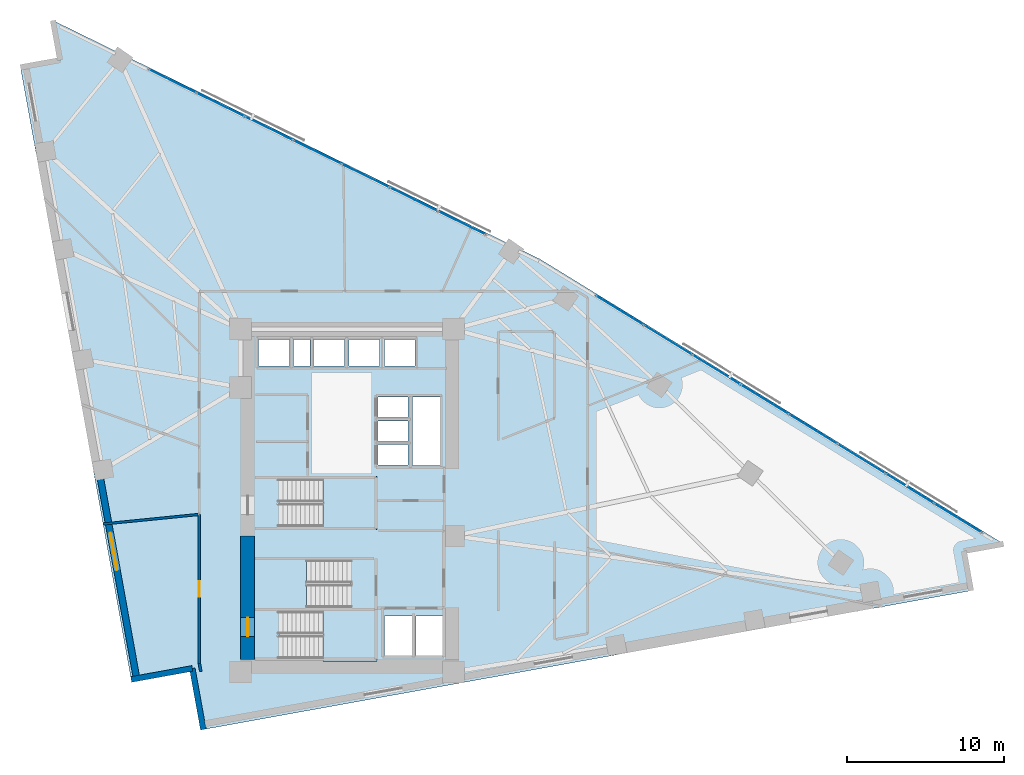
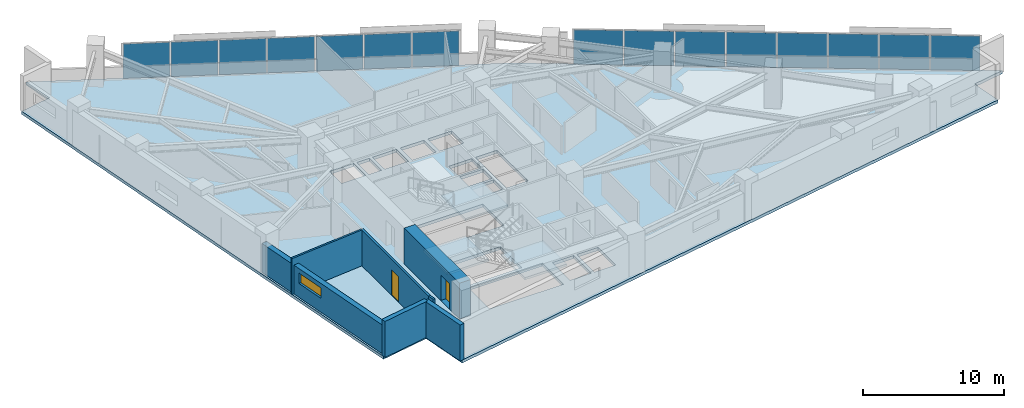
# One storey, part 12 of 20: 15 plates, 7 walls, 4 slabs, 2 doors, 1 window, 3 openings, 5 elements without a shape of their own.
"""IFC4 building model written with IfcOpenShell, lengths in metres."""

from ifc_helpers import new_model, si_unit, direction, frame, frame_2d, origin, origin_2d, place, context, subcontext, project, spatial, polyline, rectangle, outline, extrude, material, layer, layer_set, type_object, element, fill, aggregate, save


model = new_model("IFC4")

# Units and contexts
model_context = context("Model", 3, precision=1e-05, world=origin(), true_north=direction((0.0, 1.0)))
body_context = subcontext(model_context, "Body", "Model", "MODEL_VIEW")
ifc_project = project(units=[si_unit("LENGTHUNIT", "METRE"), si_unit("AREAUNIT", "SQUARE_METRE"), si_unit("VOLUMEUNIT", "CUBIC_METRE"), si_unit("PLANEANGLEUNIT", "RADIAN"), si_unit("MASSUNIT", "GRAM", prefix="KILO")], contexts=[model_context])

# Site, building, storey
site_placement = place(None, origin())
site = spatial("IfcSite", under=ifc_project, at=site_placement, CompositionType="ELEMENT")
building_placement = place(site_placement, origin())
building = spatial("IfcBuilding", under=site, at=building_placement, Name="Narakoshi Arena Tower", CompositionType="ELEMENT")
storey_placement = place(building_placement, frame((0.0, 0.0, 124.5)))
storey = spatial("IfcBuildingStorey", under=building, at=storey_placement, Name="L33", CompositionType="ELEMENT", Elevation=124.5)

# Curtain wall, plates
ifc_material_1 = material(Name="Anodised bronze aluminium 6063-T6", Category="aluminium")
curtain_wall_type = type_object("IfcCurtainWallType", Name="CW-HYP-LOW", PredefinedType="NOTDEFINED", material=ifc_material_1)
curtain_wall_1_placement = place(storey_placement, origin())
curtain_wall_1 = element("IfcCurtainWall", 1, at=curtain_wall_1_placement, inside=storey, type_object=curtain_wall_type, Name="L33 Folded Hypotenuse Curtain Wall 1-1", PredefinedType="NOTDEFINED")
ifc_material_2 = material(Name="Bronze-tinted low-E laminated glass", Category="glass")
ifc_layer_1 = layer(ifc_material_2, 0.031982421875)
ifc_layer_set_1 = layer_set([ifc_layer_1], Name="Bronze-tinted low-E laminated glass")
plate_type = type_object("IfcPlateType", Name="PLT-GLZ-32", PredefinedType="CURTAIN_PANEL", material=ifc_layer_set_1)
plate_1_placement = place(storey_placement, frame((117.64013671875, 44.483642578125, 0.06494140625), z_axis=(0.0, 0.0, 1.0), x_axis=(-0.852113104237, 0.523357676535, 0.0)))
plate_1 = element("IfcPlate", 2, at=plate_1_placement, type_object=plate_type, Name="CW-01 panel 1.1", PredefinedType="CURTAIN_PANEL", context=body_context, shape_type="SweptSolid", body=[
    extrude(rectangle(XDim=3.498291015625, YDim=0.031982421875, at=origin_2d()), origin(), (0.0, 0.0, 1.0), 2.969970703125),
])
plate_2_placement = place(storey_placement, frame((114.5791015625, 46.36376953125, 0.06494140625), z_axis=(0.0, 0.0, 1.0), x_axis=(-0.852113104237, 0.523357676535, 0.0)))
plate_2 = element("IfcPlate", 3, at=plate_2_placement, type_object=plate_type, Name="CW-01 panel 2.1", PredefinedType="CURTAIN_PANEL", context=body_context, shape_type="SweptSolid", body=[
    extrude(rectangle(XDim=3.535888671875, YDim=0.031982421875, at=origin_2d()), origin(), (0.0, 0.0, 1.0), 2.969970703125),
])
plate_3_placement = place(storey_placement, frame((111.502197265625, 48.25341796875, 0.06494140625), z_axis=(0.0, 0.0, 1.0), x_axis=(-0.852113104237, 0.523357676535, 0.0)))
plate_3 = element("IfcPlate", 4, at=plate_3_placement, type_object=plate_type, Name="CW-01 panel 3.1", PredefinedType="CURTAIN_PANEL", context=body_context, shape_type="SweptSolid", body=[
    extrude(rectangle(XDim=3.535888671875, YDim=0.031982421875, at=origin_2d()), origin(), (0.0, 0.0, 1.0), 2.969970703125),
])
plate_4_placement = place(storey_placement, frame((108.42529296875, 50.143310546875, 0.06494140625), z_axis=(0.0, 0.0, 1.0), x_axis=(-0.852113104237, 0.523357676535, 0.0)))
plate_4 = element("IfcPlate", 5, at=plate_4_placement, type_object=plate_type, Name="CW-01 panel 4.1", PredefinedType="CURTAIN_PANEL", context=body_context, shape_type="SweptSolid", body=[
    extrude(rectangle(XDim=3.535888671875, YDim=0.031982421875, at=origin_2d()), origin(), (0.0, 0.0, 1.0), 2.969970703125),
])
plate_5_placement = place(storey_placement, frame((105.348388671875, 52.032958984375, 0.06494140625), z_axis=(0.0, 0.0, 1.0), x_axis=(-0.852113104237, 0.523357676535, 0.0)))
plate_5 = element("IfcPlate", 6, at=plate_5_placement, type_object=plate_type, Name="CW-01 panel 5.1", PredefinedType="CURTAIN_PANEL", context=body_context, shape_type="SweptSolid", body=[
    extrude(rectangle(XDim=3.535888671875, YDim=0.031982421875, at=origin_2d()), origin(), (0.0, 0.0, 1.0), 2.969970703125),
])
plate_6_placement = place(storey_placement, frame((102.271728515625, 53.9228515625, 0.06494140625), z_axis=(0.0, 0.0, 1.0), x_axis=(-0.852113104237, 0.523357676535, 0.0)))
plate_6 = element("IfcPlate", 7, at=plate_6_placement, type_object=plate_type, Name="CW-01 panel 6.1", PredefinedType="CURTAIN_PANEL", context=body_context, shape_type="SweptSolid", body=[
    extrude(rectangle(XDim=3.535888671875, YDim=0.031982421875, at=origin_2d()), origin(), (0.0, 0.0, 1.0), 2.969970703125),
])
plate_7_placement = place(storey_placement, frame((99.19482421875, 55.8125, 0.06494140625), z_axis=(0.0, 0.0, 1.0), x_axis=(-0.852113104237, 0.523357676535, 0.0)))
plate_7 = element("IfcPlate", 8, at=plate_7_placement, type_object=plate_type, Name="CW-01 panel 7.1", PredefinedType="CURTAIN_PANEL", context=body_context, shape_type="SweptSolid", body=[
    extrude(rectangle(XDim=3.535888671875, YDim=0.031982421875, at=origin_2d()), origin(), (0.0, 0.0, 1.0), 2.969970703125),
])
plate_8_placement = place(storey_placement, frame((96.1337890625, 57.692626953125, 0.06494140625), z_axis=(0.0, 0.0, 1.0), x_axis=(-0.852113104237, 0.523357676535, 0.0)))
plate_8 = element("IfcPlate", 9, at=plate_8_placement, type_object=plate_type, Name="CW-01 panel 8.1", PredefinedType="CURTAIN_PANEL", context=body_context, shape_type="SweptSolid", body=[
    extrude(rectangle(XDim=3.498291015625, YDim=0.031982421875, at=origin_2d()), origin(), (0.0, 0.0, 1.0), 2.969970703125),
])
aggregate(curtain_wall_1, [plate_1, plate_2, plate_3, plate_4, plate_5, plate_6, plate_7, plate_8])

curtain_wall_2_placement = place(storey_placement, origin())
curtain_wall_2 = element("IfcCurtainWall", 10, at=curtain_wall_2_placement, inside=storey, type_object=curtain_wall_type, Name="L33 Folded Hypotenuse Curtain Wall 2-1", PredefinedType="NOTDEFINED")
plate_9_placement = place(storey_placement, frame((86.0791015625, 63.259765625, 0.06494140625), z_axis=(0.0, 0.0, 1.0), x_axis=(-0.89799556291, 0.440004510198, 0.0)))
plate_9 = element("IfcPlate", 11, at=plate_9_placement, type_object=plate_type, Name="CW-01 panel 1.1", PredefinedType="CURTAIN_PANEL", context=body_context, shape_type="SweptSolid", body=[
    extrude(rectangle(XDim=3.309814453125, YDim=0.031982421875, at=origin_2d()), origin(), (0.0, 0.0, 1.0), 2.969970703125),
])
plate_10_placement = place(storey_placement, frame((83.022705078125, 64.75732421875, 0.06494140625), z_axis=(0.0, 0.0, 1.0), x_axis=(-0.89799556291, 0.440004510198, 0.0)))
plate_10 = element("IfcPlate", 12, at=plate_10_placement, type_object=plate_type, Name="CW-01 panel 2.1", PredefinedType="CURTAIN_PANEL", context=body_context, shape_type="SweptSolid", body=[
    extrude(rectangle(XDim=3.347412109375, YDim=0.031982421875, at=origin_2d()), origin(), (0.0, 0.0, 1.0), 2.969970703125),
])
plate_11_placement = place(storey_placement, frame((79.949462890625, 66.26318359375, 0.06494140625), z_axis=(0.0, 0.0, 1.0), x_axis=(-0.89799556291, 0.440004510198, 0.0)))
plate_11 = element("IfcPlate", 13, at=plate_11_placement, type_object=plate_type, Name="CW-01 panel 3.1", PredefinedType="CURTAIN_PANEL", context=body_context, shape_type="SweptSolid", body=[
    extrude(rectangle(XDim=3.347412109375, YDim=0.031982421875, at=origin_2d()), origin(), (0.0, 0.0, 1.0), 2.969970703125),
])
plate_12_placement = place(storey_placement, frame((76.8759765625, 67.76904296875, 0.06494140625), z_axis=(0.0, 0.0, 1.0), x_axis=(-0.89799556291, 0.440004510198, 0.0)))
plate_12 = element("IfcPlate", 14, at=plate_12_placement, type_object=plate_type, Name="CW-01 panel 4.1", PredefinedType="CURTAIN_PANEL", context=body_context, shape_type="SweptSolid", body=[
    extrude(rectangle(XDim=3.347412109375, YDim=0.031982421875, at=origin_2d()), origin(), (0.0, 0.0, 1.0), 2.969970703125),
])
plate_13_placement = place(storey_placement, frame((73.802734375, 69.27490234375, 0.06494140625), z_axis=(0.0, 0.0, 1.0), x_axis=(-0.89799556291, 0.440004510198, 0.0)))
plate_13 = element("IfcPlate", 15, at=plate_13_placement, type_object=plate_type, Name="CW-01 panel 5.1", PredefinedType="CURTAIN_PANEL", context=body_context, shape_type="SweptSolid", body=[
    extrude(rectangle(XDim=3.347412109375, YDim=0.031982421875, at=origin_2d()), origin(), (0.0, 0.0, 1.0), 2.969970703125),
])
plate_14_placement = place(storey_placement, frame((70.7294921875, 70.781005859375, 0.06494140625), z_axis=(0.0, 0.0, 1.0), x_axis=(-0.89799556291, 0.440004510198, 0.0)))
plate_14 = element("IfcPlate", 16, at=plate_14_placement, type_object=plate_type, Name="CW-01 panel 6.1", PredefinedType="CURTAIN_PANEL", context=body_context, shape_type="SweptSolid", body=[
    extrude(rectangle(XDim=3.347412109375, YDim=0.031982421875, at=origin_2d()), origin(), (0.0, 0.0, 1.0), 2.969970703125),
])
plate_15_placement = place(storey_placement, frame((67.673095703125, 72.278564453125, 0.06494140625), z_axis=(0.0, 0.0, 1.0), x_axis=(-0.89799556291, 0.440004510198, 0.0)))
plate_15 = element("IfcPlate", 17, at=plate_15_placement, type_object=plate_type, Name="CW-01 panel 7.1", PredefinedType="CURTAIN_PANEL", context=body_context, shape_type="SweptSolid", body=[
    extrude(rectangle(XDim=3.309814453125, YDim=0.031982421875, at=origin_2d()), origin(), (0.0, 0.0, 1.0), 2.969970703125),
])
aggregate(curtain_wall_2, [plate_9, plate_10, plate_11, plate_12, plate_13, plate_14, plate_15])

# Stair, slab
ifc_material_3 = material(Name="Concrete C45/55", Category="concrete")
stair_type = type_object("IfcStairType", Name="STR-CORE-360", PredefinedType="TWO_STRAIGHT_RUN_STAIR", material=ifc_material_3)
stair_1_placement = place(storey_placement, origin())
stair_1 = element("IfcStair", 18, at=stair_1_placement, inside=storey, type_object=stair_type, Name="L33 Core Escape Stair ST1", PredefinedType="TWO_STRAIGHT_RUN_STAIR")
ifc_layer_2 = layer(ifc_material_3, 0.18994140625)
ifc_layer_set_2 = layer_set([ifc_layer_2], Name="Concrete C45/55")
slab_type_1 = type_object("IfcSlabType", Name="SLB-LND-190", PredefinedType="LANDING", material=ifc_layer_set_2)
slab_1_placement = place(storey_placement, frame((0.0, 0.0, 1.610107421875)))
slab_1 = element("IfcSlab", 19, at=slab_1_placement, type_object=slab_type_1, Name="ST1 landing 1", PredefinedType="LANDING", context=body_context, shape_type="SweptSolid", body=[
    extrude(outline(polyline([(77.25, 35.3701171875), (80.679931640625, 35.3701171875), (80.679931640625, 38.72998046875), (77.25, 38.72998046875), (77.25, 35.3701171875)])), origin(), (0.0, 0.0, 1.0), 0.18994140625),
])
aggregate(stair_1, [slab_1])

stair_2_placement = place(storey_placement, origin())
stair_2 = element("IfcStair", 20, at=stair_2_placement, inside=storey, type_object=stair_type, Name="L33 Core Escape Stair ST2", PredefinedType="TWO_STRAIGHT_RUN_STAIR")
slab_2_placement = place(storey_placement, frame((0.0, 0.0, 1.610107421875)))
slab_2 = element("IfcSlab", 21, at=slab_2_placement, type_object=slab_type_1, Name="ST2 landing 1", PredefinedType="LANDING", context=body_context, shape_type="SweptSolid", body=[
    extrude(outline(polyline([(72.77001953125, 38.6201171875), (76.199951171875, 38.6201171875), (76.199951171875, 41.97998046875), (72.77001953125, 41.97998046875), (72.77001953125, 38.6201171875)])), origin(), (0.0, 0.0, 1.0), 0.18994140625),
])
aggregate(stair_2, [slab_2])

stair_3_placement = place(storey_placement, origin())
stair_3 = element("IfcStair", 22, at=stair_3_placement, inside=storey, type_object=stair_type, Name="L33 Core Escape Stair ST3", PredefinedType="TWO_STRAIGHT_RUN_STAIR")
slab_3_placement = place(storey_placement, frame((0.0, 0.0, 1.610107421875)))
slab_3 = element("IfcSlab", 23, at=slab_3_placement, type_object=slab_type_1, Name="ST3 landing 1", PredefinedType="LANDING", context=body_context, shape_type="SweptSolid", body=[
    extrude(outline(polyline([(77.25, 43.77001953125), (80.679931640625, 43.77001953125), (80.679931640625, 47.1298828125), (77.25, 47.1298828125), (77.25, 43.77001953125)])), origin(), (0.0, 0.0, 1.0), 0.18994140625),
])
aggregate(stair_3, [slab_3])

# Slab
ifc_material_4 = material(Name="Concrete C50/60", Category="concrete")
ifc_layer_3 = layer(ifc_material_4, 0.260009765625)
ifc_layer_set_3 = layer_set([ifc_layer_3], Name="Concrete C50/60")
slab_type_2 = type_object("IfcSlabType", Name="SLB-SKY-260", PredefinedType="FLOOR", material=ifc_layer_set_3)
slab_4_placement = place(storey_placement, frame((0.0, 0.0, -0.260009765625)))
element("IfcSlab", 24, at=slab_4_placement, inside=storey, type_object=slab_type_2, Name="L33 Structural Floor Slab", PredefinedType="FLOOR", context=body_context, shape_type="SweptSolid", body=[
    extrude(outline(polyline([(69.626953125, 31.03271484375), (118.466796875, 39.8642578125), (118.01025390625, 42.3896484375), (120.535400390625, 42.84619140625), (91.034912109375, 60.965087890625), (60.066162109375, 76.139404296875), (60.522705078125, 73.614013671875), (57.99755859375, 73.157470703125), (65.039306640625, 34.215087890625), (68.92431640625, 34.91748046875), (69.626953125, 31.03271484375)]), holes=[polyline([(80.5, 35.550048828125), (74.47998046875, 35.550048828125), (74.47998046875, 38.550048828125), (80.5, 38.550048828125), (80.5, 35.550048828125)]), polyline([(82.89990234375, 35.75), (81.14990234375, 35.75), (81.14990234375, 38.25), (82.89990234375, 38.25), (82.89990234375, 35.75)]), polyline([(83.14990234375, 35.75), (83.14990234375, 38.25), (84.89990234375, 38.25), (84.89990234375, 35.75), (83.14990234375, 35.75)]), polyline([(72.949951171875, 38.800048828125), (72.949951171875, 41.800048828125), (78.969970703125, 41.800048828125), (78.969970703125, 38.800048828125), (72.949951171875, 38.800048828125)]), polyline([(74.47998046875, 43.949951171875), (74.47998046875, 46.949951171875), (80.5, 46.949951171875), (80.5, 43.949951171875), (74.47998046875, 43.949951171875)]), polyline([(82.949951171875, 47.840087890625), (82.949951171875, 52.199951171875), (84.699951171875, 52.199951171875), (84.699951171875, 47.840087890625), (82.949951171875, 47.840087890625)]), polyline([(80.75, 47.85009765625), (80.75, 49.14990234375), (82.64990234375, 49.14990234375), (82.64990234375, 47.85009765625), (80.75, 47.85009765625)]), polyline([(80.75, 49.3701171875), (80.75, 50.669921875), (82.64990234375, 50.669921875), (82.64990234375, 49.3701171875), (80.75, 49.3701171875)]), polyline([(80.75, 50.889892578125), (80.75, 52.18994140625), (82.64990234375, 52.18994140625), (82.64990234375, 50.889892578125), (80.75, 50.889892578125)]), polyline([(73.14990234375, 54.14990234375), (73.14990234375, 55.85009765625), (75.10009765625, 55.85009765625), (75.10009765625, 54.14990234375), (73.14990234375, 54.14990234375)]), polyline([(75.35009765625, 54.14990234375), (75.35009765625, 55.85009765625), (76.39990234375, 55.85009765625), (76.39990234375, 54.14990234375), (75.35009765625, 54.14990234375)]), polyline([(76.64990234375, 54.14990234375), (76.64990234375, 55.85009765625), (78.60009765625, 55.85009765625), (78.60009765625, 54.14990234375), (76.64990234375, 54.14990234375)]), polyline([(78.89990234375, 54.14990234375), (78.89990234375, 55.85009765625), (80.85009765625, 55.85009765625), (80.85009765625, 54.14990234375), (78.89990234375, 54.14990234375)]), polyline([(81.14990234375, 54.14990234375), (81.14990234375, 55.85009765625), (83.10009765625, 55.85009765625), (83.10009765625, 54.14990234375), (81.14990234375, 54.14990234375)])]), origin(), (0.0, 0.0, 1.0), 0.260009765625),
])

# Wall, opening, door
ifc_material_5 = material(Name="Concrete C60/75", Category="concrete")
ifc_layer_4 = layer(ifc_material_5, 0.89990234375)
ifc_layer_set_4 = layer_set([ifc_layer_4], Name="Concrete C60/75")
wall_type_1 = type_object("IfcWallType", Name="WL-CORE-900", PredefinedType="SHEAR", material=ifc_layer_set_4)
wall_1_placement = place(storey_placement, frame((72.449951171875, 35.5, -0.260009765625), z_axis=(0.0, 0.0, 1.0), x_axis=(0.0, 1.0, 0.0)))
wall_1 = element("IfcWall", 25, at=wall_1_placement, inside=storey, type_object=wall_type_1, Name="L33 Central Core Shear Wall CW-APX-W", PredefinedType="SHEAR", context=body_context, shape_type="SweptSolid", body=[
    extrude(rectangle(XDim=7.85009765625, YDim=0.89990234375, at=frame_2d((3.925048828125, 0.0))), origin(), (0.0, 0.0, 1.0), 3.360107421875),
])
opening_1_placement = place(wall_1_placement, frame((1.449951171875, 0.0, 0.260009765625)))
opening_1 = element("IfcOpeningElement", 26, at=opening_1_placement, cuts=wall_1, Name="Opening D-03", PredefinedType="OPENING", context=body_context, shape_type="SweptSolid", body=[
    extrude(rectangle(XDim=1.199951171875, YDim=2.199951171875, at=frame_2d((0.60009765625, 1.10009765625))), frame((0.0, 0.4599609375, 0.0), z_axis=(0.0, -1.0, 0.0), x_axis=(1.0, 0.0, 0.0)), (0.0, 0.0, 1.0), 0.919921875),
])
ifc_material_6 = material(Name="Painted galvanized steel", Category="steel")
door_type_1 = type_object("IfcDoorType", Name="DR-STR-1200", OperationType="NOTDEFINED", PredefinedType="USERDEFINED", material=ifc_material_6)
door_1_placement = place(opening_1_placement, frame((1.199951171875, 0.0, 0.0), z_axis=(0.0, 0.0, 1.0), x_axis=(-1.0, 0.0, 0.0)))
door_1 = element("IfcDoor", 27, at=door_1_placement, inside=storey, type_object=door_type_1, Name="DR-L33-001", ObjectType="EXITDOOR", OperationType="SINGLE_SWING_LEFT", OverallHeight=2.199951171875, OverallWidth=1.199951171875, PredefinedType="USERDEFINED", context=body_context, shape_type="SweptSolid", body=[
    extrude(rectangle(XDim=1.199951171875, YDim=2.199951171875, at=frame_2d((0.60009765625, 1.10009765625))), frame((0.0, 0.02490234375, 0.0), z_axis=(0.0, -1.0, 0.0), x_axis=(1.0, 0.0, 0.0)), (0.0, 0.0, 1.0), 0.050048828125),
])
fill(opening_1, door_1)

ifc_material_7 = material(Name="Gypsum plasterboard fire-rated partition")
ifc_layer_5 = layer(ifc_material_7, 0.1650390625)
ifc_layer_set_5 = layer_set([ifc_layer_5], Name="Gypsum plasterboard fire-rated partition")
wall_type_2 = type_object("IfcWallType", Name="WL-CORR-165", PredefinedType="PARTITIONING", material=ifc_layer_set_5)
wall_2_placement = place(storey_placement, frame((69.376220703125, 44.716064453125, 0.0), z_axis=(0.0, 0.0, 1.0), x_axis=(0.0, -1.0, 0.0)))
wall_2 = element("IfcWall", 28, at=wall_2_placement, inside=storey, type_object=wall_type_2, Name="L33 Corridor Partition 01-1", PredefinedType="PARTITIONING", context=body_context, shape_type="SweptSolid", body=[
    extrude(rectangle(XDim=9.4873046875, YDim=0.1650390625, at=frame_2d((4.74365234375, 0.0))), origin(), (0.0, 0.0, 1.0), 3.10009765625),
])
opening_2_placement = place(wall_2_placement, frame((4.24365234375, 0.0, 0.0)))
opening_2 = element("IfcOpeningElement", 29, at=opening_2_placement, cuts=wall_2, Name="Opening D-06", PredefinedType="OPENING", context=body_context, shape_type="SweptSolid", body=[
    extrude(rectangle(XDim=1.0, YDim=2.199951171875, at=frame_2d((0.5, 1.10009765625))), frame((0.0, 0.092529296875, 0.0), z_axis=(0.0, -1.0, 0.0), x_axis=(1.0, 0.0, 0.0)), (0.0, 0.0, 1.0), 0.18505859375),
])
ifc_material_8 = material(Name="Stained oak solid-core timber", Category="wood")
door_type_2 = type_object("IfcDoorType", Name="DR-OFF-1000", OperationType="NOTDEFINED", PredefinedType="DOOR", material=ifc_material_8)
door_2_placement = place(opening_2_placement, frame((1.0, 0.0, 0.0), z_axis=(0.0, 0.0, 1.0), x_axis=(-1.0, 0.0, 0.0)))
door_2 = element("IfcDoor", 30, at=door_2_placement, inside=storey, type_object=door_type_2, Name="DR-L33-014", OperationType="SINGLE_SWING_LEFT", OverallHeight=2.199951171875, OverallWidth=1.0, PredefinedType="DOOR", context=body_context, shape_type="SweptSolid", body=[
    extrude(rectangle(XDim=1.0, YDim=2.199951171875, at=frame_2d((0.5, 1.10009765625))), frame((0.0, 0.02490234375, 0.0), z_axis=(0.0, -1.0, 0.0), x_axis=(1.0, 0.0, 0.0)), (0.0, 0.0, 1.0), 0.050048828125),
])
fill(opening_2, door_2)

# Wall
wall_3_placement = place(storey_placement, frame((69.376220703125, 35.228759765625, 0.0), z_axis=(0.0, 0.0, 1.0), x_axis=(0.177753037654, -0.984075128029, 0.0)))
element("IfcWall", 31, at=wall_3_placement, inside=storey, type_object=wall_type_2, Name="L33 Corridor Partition 01-2", PredefinedType="PARTITIONING", context=body_context, shape_type="SweptSolid", body=[
    extrude(rectangle(XDim=0.51220703125, YDim=0.1650390625, at=frame_2d((0.256103515625, 0.0))), origin(), (0.0, 0.0, 1.0), 3.10009765625),
])

# Wall, opening, window
ifc_material_9 = material(Name="Precast concrete C45/55", Category="concrete")
ifc_layer_6 = layer(ifc_material_9, 0.419921875)
ifc_layer_set_6 = layer_set([ifc_layer_6], Name="Precast concrete C45/55")
wall_type_3 = type_object("IfcWallType", Name="WL-POD-420", PredefinedType="SOLIDWALL", material=ifc_layer_set_6)
wall_4_placement = place(storey_placement, frame((62.989501953125, 47.517578125, 0.0), z_axis=(0.0, 0.0, 1.0), x_axis=(0.177948058674, -0.984039881516, 0.0)))
wall_4 = element("IfcWall", 32, at=wall_4_placement, inside=storey, type_object=wall_type_3, Name="L33 Architectural Concrete Facade Wall LEGB-3", PredefinedType="SOLIDWALL", context=body_context, shape_type="SweptSolid", body=[
    extrude(rectangle(XDim=13.455078125, YDim=0.419921875, at=frame_2d((6.7275390625, 0.0))), origin(), (0.0, 0.0, 1.0), 2.485107421875),
])
opening_3_placement = place(wall_4_placement, frame((4.044921875, 0.0, 1.199951171875)))
opening_3 = element("IfcOpeningElement", 33, at=opening_3_placement, cuts=wall_4, Name="Opening WN-01", PredefinedType="OPENING", context=body_context, shape_type="SweptSolid", body=[
    extrude(rectangle(XDim=2.39990234375, YDim=0.89990234375, at=frame_2d((1.199951171875, 0.449951171875))), frame((0.0, 0.219970703125, 0.0), z_axis=(0.0, -1.0, 0.0), x_axis=(1.0, 0.0, 0.0)), (0.0, 0.0, 1.0), 0.43994140625),
])
window_type = type_object("IfcWindowType", Name="WIN-SLT-24x09", PartitioningType="SINGLE_PANEL", PredefinedType="WINDOW", material=ifc_material_2)
window_placement = place(opening_3_placement, origin())
window = element("IfcWindow", 34, at=window_placement, inside=storey, type_object=window_type, Name="L33 LEGB3 Horizontal Slot Window 1", OverallHeight=0.89990234375, OverallWidth=2.39990234375, PartitioningType="SINGLE_PANEL", PredefinedType="WINDOW", context=body_context, shape_type="SweptSolid", body=[
    extrude(rectangle(XDim=2.39990234375, YDim=0.89990234375, at=frame_2d((1.199951171875, 0.449951171875))), frame((0.0, 0.030029296875, 0.0), z_axis=(0.0, -1.0, 0.0), x_axis=(1.0, 0.0, 0.0)), (0.0, 0.0, 1.0), 0.06005859375),
])
fill(opening_3, window)

# Walls
wall_5_placement = place(storey_placement, frame((65.039306640625, 34.215087890625, 0.0), z_axis=(0.0, 0.0, 1.0), x_axis=(0.984046535247, 0.177911260096, 0.0)))
element("IfcWall", 35, at=wall_5_placement, inside=storey, type_object=wall_type_3, Name="L33 Re-Entrant Corner Notch Wall NTA-1", PredefinedType="SOLIDWALL", context=body_context, shape_type="SweptSolid", body=[
    extrude(rectangle(XDim=3.947998046875, YDim=0.360107421875, at=frame_2d((1.97412109375, 0.0))), origin(), (0.0, 0.0, 1.0), 3.10009765625),
])
wall_6_placement = place(storey_placement, frame((68.92431640625, 34.91748046875, 0.0), z_axis=(0.0, 0.0, 1.0), x_axis=(0.177981971326, -0.984033748346, 0.0)))
element("IfcWall", 36, at=wall_6_placement, inside=storey, type_object=wall_type_3, Name="L33 Re-Entrant Corner Notch Wall NTA-2", PredefinedType="SOLIDWALL", context=body_context, shape_type="SweptSolid", body=[
    extrude(rectangle(XDim=3.94775390625, YDim=0.360107421875, at=frame_2d((1.973876953125, 0.0))), origin(), (0.0, 0.0, 1.0), 3.10009765625),
])
ifc_material_10 = material(Name="Moisture-resistant cement-board partition")
ifc_layer_7 = layer(ifc_material_10, 0.14501953125)
ifc_layer_set_7 = layer_set([ifc_layer_7], Name="Moisture-resistant cement-board partition")
wall_type_4 = type_object("IfcWallType", Name="WL-WET-145", PredefinedType="PARTITIONING", material=ifc_layer_set_7)
wall_7_placement = place(storey_placement, frame((63.250732421875, 44.106201171875, 0.0), z_axis=(0.0, 0.0, 1.0), x_axis=(0.995082155943, 0.099053030865, 0.0)))
element("IfcWall", 37, at=wall_7_placement, inside=storey, type_object=wall_type_4, Name="L33 Inter-Room Partition 01-09", PredefinedType="PARTITIONING", context=body_context, shape_type="SweptSolid", body=[
    extrude(rectangle(XDim=6.060791015625, YDim=0.14501953125, at=frame_2d((3.0302734375, 0.0))), origin(), (0.0, 0.0, 1.0), 3.10009765625),
])

save(model, "model.ifc")
